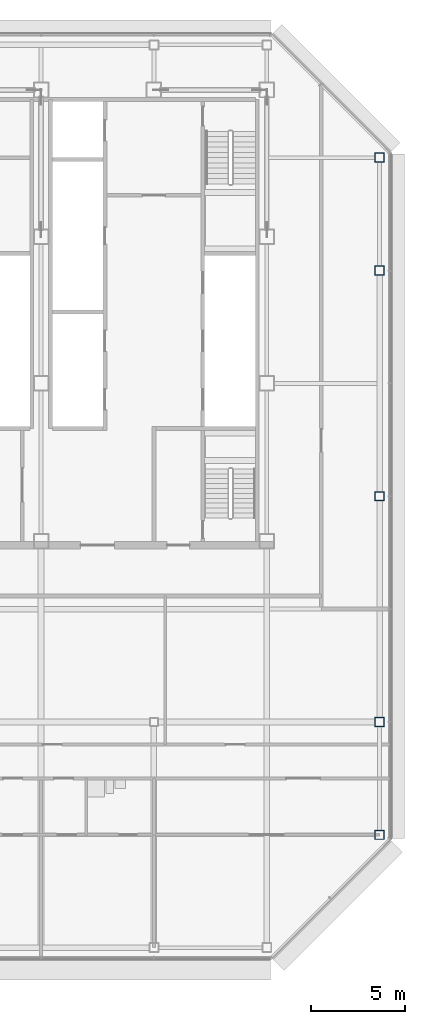
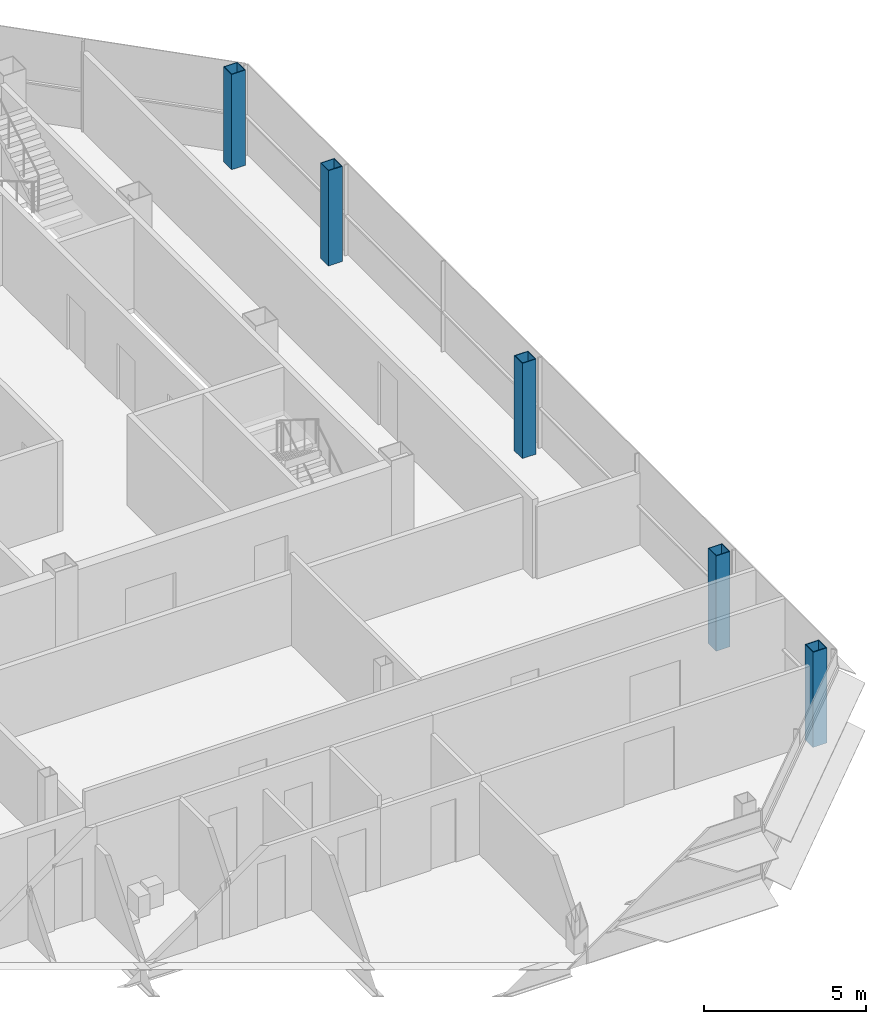
# One storey, part 3 of 28: 5 columns.
"""IFC4 building model written with IfcOpenShell, lengths in metres."""

from ifc_helpers import new_model, si_unit, direction, frame, origin, origin_2d, place, context, subcontext, project, spatial, hollow_rectangle, extrude, material, material_profile, profile_set, type_object, element, save


model = new_model("IFC4")

# Units and contexts
model_context = context("Model", 3, precision=1e-05, world=origin(), true_north=direction((0.0, 1.0)))
body_context = subcontext(model_context, "Body", "Model", "MODEL_VIEW")
ifc_project = project(units=[si_unit("LENGTHUNIT", "METRE"), si_unit("AREAUNIT", "SQUARE_METRE"), si_unit("VOLUMEUNIT", "CUBIC_METRE"), si_unit("PLANEANGLEUNIT", "RADIAN"), si_unit("MASSUNIT", "GRAM", prefix="KILO")], contexts=[model_context])

# Site, building, storey
site_placement = place(None, origin())
site = spatial("IfcSite", under=ifc_project, at=site_placement, CompositionType="ELEMENT")
building_placement = place(site_placement, origin())
building = spatial("IfcBuilding", under=site, at=building_placement, Name="Sorahane Residences", CompositionType="ELEMENT")
storey_placement = place(building_placement, frame((0.0, 0.0, 305.199951171875)))
storey = spatial("IfcBuildingStorey", under=building, at=storey_placement, Name="L72", CompositionType="ELEMENT", Elevation=305.199951171875)

# Columns
ifc_material = material(Name="Steel Q355B", Category="steel")
ifc_material_profile = material_profile(ifc_material, hollow_rectangle(XDim=0.5, YDim=0.5, WallThickness=0.02490234375, at=origin_2d()), Name="BOX 500x500x25")
ifc_profile_set = profile_set([ifc_material_profile], Name="Steel Q355B")
column_type = type_object("IfcColumnType", Name="Steel box column BOX 500x500x25 Q355B", PredefinedType="COLUMN", material=ifc_profile_set)
for number, where, z_axis, x_axis, name in (
    (1, (48.0, 6.0, 0.0), (0.0, 0.0, 1.0), (1.0, 0.0, 0.0), "Column L72 48/6"),
    (2, (48.0, 12.0, 0.0), (0.0, 0.0, 1.0), (1.0, 0.0, 0.0), "Column L72 48/12"),
    (3, (48.0, 24.0, 0.0), (0.0, 0.0, 1.0), (1.0, 0.0, 0.0), "Column L72 48/24"),
    (4, (48.0, 36.0, 0.0), (0.0, 0.0, 1.0), (1.0, 0.0, 0.0), "Column L72 48/36"),
    (5, (48.0, 42.0, 0.0), (0.0, 0.0, 1.0), (1.0, 0.0, 0.0), "Column L72 48/42"),
):
    element("IfcColumn", number, at=place(storey_placement, frame(where, z_axis=z_axis, x_axis=x_axis)), inside=storey, type_object=column_type, Name=name, PredefinedType="COLUMN", context=body_context, shape_type="SweptSolid", body=[
        extrude(hollow_rectangle(XDim=0.5, YDim=0.5, WallThickness=0.02490234375, at=origin_2d()), origin(), (0.0, 0.0, 1.0), 3.60009765625),
    ])

save(model, "model.ifc")
